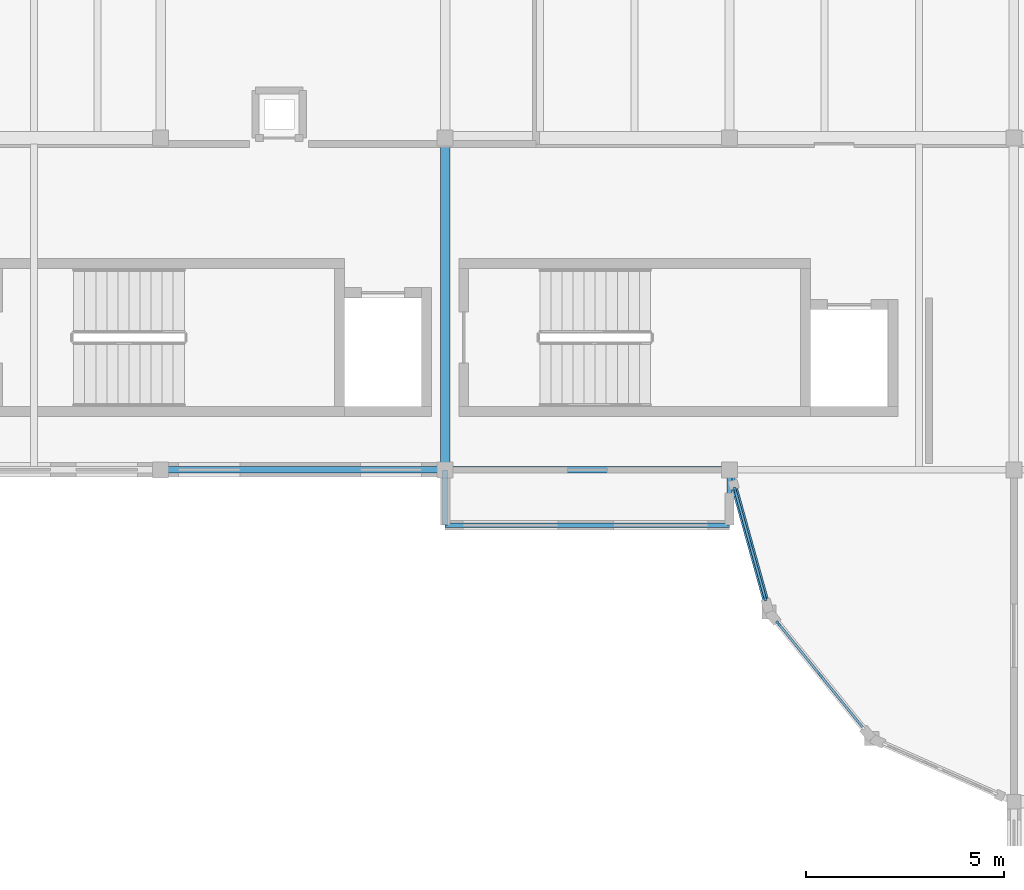
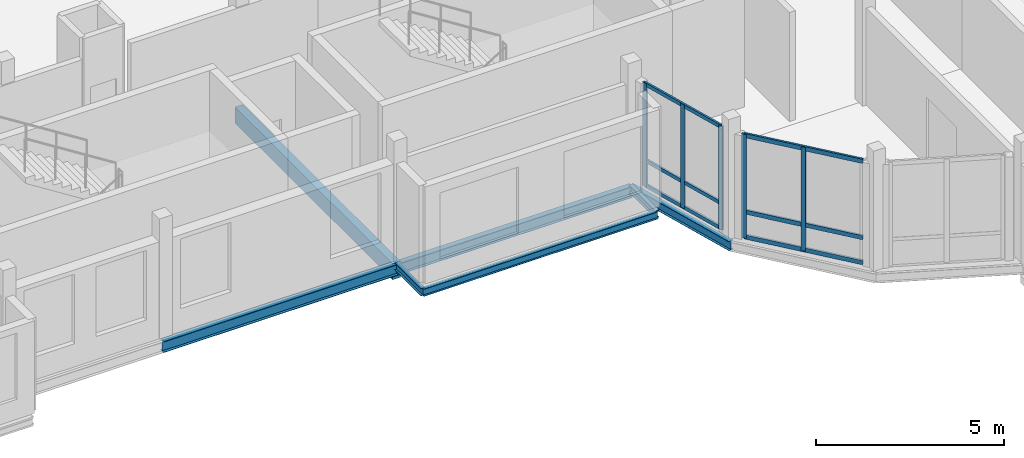
# One storey, part 16 of 57: 11 members, 7 beams, 2 elements without a shape of their own.
"""IFC4 building model written with IfcOpenShell, lengths in metres."""

from ifc_helpers import new_model, si_unit, direction, frame, origin, origin_2d, place, context, subcontext, project, spatial, rectangle, i_section, extrude, material, material_profile, profile_set, type_object, element, aggregate, save


model = new_model("IFC4")

# Units and contexts
model_context = context("Model", 3, precision=1e-05, world=origin(), true_north=direction((0.0, 1.0)))
body_context = subcontext(model_context, "Body", "Model", "MODEL_VIEW")
ifc_project = project(units=[si_unit("LENGTHUNIT", "METRE"), si_unit("AREAUNIT", "SQUARE_METRE"), si_unit("VOLUMEUNIT", "CUBIC_METRE"), si_unit("PLANEANGLEUNIT", "RADIAN"), si_unit("MASSUNIT", "GRAM", prefix="KILO")], contexts=[model_context])

# Site, building, storey
site_placement = place(None, origin())
site = spatial("IfcSite", under=ifc_project, at=site_placement, CompositionType="ELEMENT")
building_placement = place(site_placement, origin())
building = spatial("IfcBuilding", under=site, at=building_placement, Name="Kahlenmark Community Centre", CompositionType="ELEMENT")
storey_placement = place(building_placement, frame((0.0, 0.0, 13.800048828125)))
storey = spatial("IfcBuildingStorey", under=building, at=storey_placement, Name="L03", CompositionType="ELEMENT", Elevation=13.800048828125)

# Beams
ifc_material_1 = material(Name="Glulam GL32h", Category="wood")
ifc_material_profile_1 = material_profile(ifc_material_1, rectangle(XDim=0.239990234375, YDim=0.52001953125, at=origin_2d()), Name="GL32h 240x520")
ifc_profile_set_1 = profile_set([ifc_material_profile_1], Name="Glulam GL32h")
beam_type_1 = type_object("IfcBeamType", Name="BT-BEAM-GL32h240x520", PredefinedType="BEAM", material=ifc_profile_set_1)
beam_1_placement = place(storey_placement, frame((58.0, 97.60009765625, -0.47998046875), z_axis=(0.0, 1.0, 0.0), x_axis=(-1.0, 0.0, 0.0)))
element("IfcBeam", 1, at=beam_1_placement, inside=storey, type_object=beam_type_1, Name="L03 beam BG-GL32h240x520", PredefinedType="BEAM", context=body_context, shape_type="SweptSolid", body=[
    extrude(rectangle(XDim=0.239990234375, YDim=0.52001953125, at=origin_2d()), origin(), (0.0, 0.0, 1.0), 8.39990234375),
])
ifc_material_2 = material(Name="Steel S355", Category="steel")
ifc_material_profile_2 = material_profile(ifc_material_2, i_section(OverallWidth=0.1201171875, OverallDepth=0.239990234375, WebThickness=0.006103515625, FlangeThickness=0.009765625, at=origin_2d()), Name="IPE 240")
ifc_profile_set_2 = profile_set([ifc_material_profile_2], Name="Steel S355")
beam_type_2 = type_object("IfcBeamType", Name="BT-BEAM-IPE240", PredefinedType="BEAM", material=ifc_profile_set_2)
for number, where, z_axis, x_axis, name in (
    (2, (58.0, 96.199951171875, -0.320068359375), (0.0, 1.0, 0.0), (-1.0, 0.0, 0.0), "L03 beam BG-IPE240"),
    (3, (65.199951171875, 96.199951171875, -0.320068359375), (0.0, 1.0, 0.0), (-1.0, 0.0, 0.0), "L03 beam BG-IPE240"),
):
    element("IfcBeam", number, at=place(storey_placement, frame(where, z_axis=z_axis, x_axis=x_axis)), inside=storey, type_object=beam_type_2, Name=name, PredefinedType="BEAM", context=body_context, shape_type="SweptSolid", body=[
        extrude(i_section(OverallWidth=0.1201171875, OverallDepth=0.239990234375, WebThickness=0.006103515625, FlangeThickness=0.009765625, at=origin_2d()), origin(), (0.0, 0.0, 1.0), 1.400146484375),
    ])
ifc_material_profile_3 = material_profile(ifc_material_2, i_section(OverallWidth=0.1201171875, OverallDepth=0.239990234375, WebThickness=0.006103515625, FlangeThickness=0.009765625, at=origin_2d()), Name="IPE 240")
ifc_profile_set_3 = profile_set([ifc_material_profile_3], Name="Steel S355")
beam_type_3 = type_object("IfcBeamType", Name="BT-SPANDREL-IPE240", PredefinedType="SPANDREL", material=ifc_profile_set_3)
beam_2_placement = place(storey_placement, frame((58.0, 96.199951171875, -0.320068359375), z_axis=(1.0, 0.0, 0.0), x_axis=(0.0, 1.0, 0.0)))
element("IfcBeam", 4, at=beam_2_placement, inside=storey, type_object=beam_type_3, Name="L03 spandrel SP-IPE240", PredefinedType="SPANDREL", context=body_context, shape_type="SweptSolid", body=[
    extrude(i_section(OverallWidth=0.1201171875, OverallDepth=0.239990234375, WebThickness=0.006103515625, FlangeThickness=0.009765625, at=origin_2d()), origin(), (0.0, 0.0, 1.0), 7.199951171875),
])
ifc_material_profile_4 = material_profile(ifc_material_2, i_section(OverallWidth=0.14990234375, OverallDepth=0.300048828125, WebThickness=0.007080078125, FlangeThickness=0.0107421875, at=origin_2d()), Name="IPE 300")
ifc_profile_set_4 = profile_set([ifc_material_profile_4], Name="Steel S355")
beam_type_4 = type_object("IfcBeamType", Name="BT-SPANDREL-IPE300", PredefinedType="SPANDREL", material=ifc_profile_set_4)
beam_3_placement = place(storey_placement, frame((65.199951171875, 97.60009765625, -0.35009765625), z_axis=(0.267637123724, -0.963519781844, 0.0), x_axis=(0.963519781844, 0.267637123724, 0.0)))
element("IfcBeam", 5, at=beam_3_placement, inside=storey, type_object=beam_type_4, Name="L03 spandrel SP-IPE300", PredefinedType="SPANDREL", context=body_context, shape_type="SweptSolid", body=[
    extrude(i_section(OverallWidth=0.14990234375, OverallDepth=0.300048828125, WebThickness=0.007080078125, FlangeThickness=0.0107421875, at=origin_2d()), origin(), (0.0, 0.0, 1.0), 3.736328125),
])
ifc_material_profile_5 = material_profile(ifc_material_2, i_section(OverallWidth=0.169921875, OverallDepth=0.360107421875, WebThickness=0.008056640625, FlangeThickness=0.0126953125, at=origin_2d()), Name="IPE 360")
ifc_profile_set_5 = profile_set([ifc_material_profile_5], Name="Steel S355")
beam_type_5 = type_object("IfcBeamType", Name="BT-SPANDREL-IPE360", PredefinedType="SPANDREL", material=ifc_profile_set_5)
for number, where, z_axis, x_axis, name in (
    (6, (50.800048828125, 97.60009765625, -0.400146484375), (1.0, 0.0, 0.0), (0.0, 1.0, 0.0), "L03 spandrel SP-IPE360"),
    (7, (58.0, 97.60009765625, -0.400146484375), (1.0, 0.0, 0.0), (0.0, 1.0, 0.0), "L03 spandrel SP-IPE360"),
):
    element("IfcBeam", number, at=place(storey_placement, frame(where, z_axis=z_axis, x_axis=x_axis)), inside=storey, type_object=beam_type_5, Name=name, PredefinedType="SPANDREL", context=body_context, shape_type="SweptSolid", body=[
        extrude(i_section(OverallWidth=0.169921875, OverallDepth=0.360107421875, WebThickness=0.008056640625, FlangeThickness=0.0126953125, at=origin_2d()), origin(), (0.0, 0.0, 1.0), 7.199951171875),
    ])

# Curtain wall, members
ifc_material_3 = material(Name="Anodised aluminium unitised curtain wall", Category="aluminium")
curtain_wall_type_1 = type_object("IfcCurtainWallType", Name="CWT-UNIT-290X337", PredefinedType="USERDEFINED", material=ifc_material_3)
curtain_wall_1_placement = place(storey_placement, origin())
curtain_wall_1 = element("IfcCurtainWall", 8, at=curtain_wall_1_placement, inside=storey, type_object=curtain_wall_type_1, Name="Unitised curtain wall CW-182", ObjectType="UNITISED CURTAIN WALL", PredefinedType="USERDEFINED")
ifc_material_4 = material(Name="Anodised aluminium 6063-T6", Category="aluminium")
ifc_material_profile_6 = material_profile(ifc_material_4, rectangle(XDim=0.06005859375, YDim=0.139892578125, at=origin_2d()), Name="ALU MULLION 60x140")
ifc_profile_set_6 = profile_set([ifc_material_profile_6], Name="Anodised aluminium 6063-T6")
member_type_1 = type_object("IfcMemberType", Name="MT-MUL-140", PredefinedType="MULLION", material=ifc_profile_set_6)
member_1_placement = place(storey_placement, frame((65.341796875, 97.08935546875, 0.0), z_axis=(0.0, 0.0, 1.0), x_axis=(0.963515158188, 0.26765376878, 0.0)))
member_1 = element("IfcMember", 9, at=member_1_placement, type_object=member_type_1, Name="CW-182 mullion 1", PredefinedType="MULLION", context=body_context, shape_type="SweptSolid", body=[
    extrude(rectangle(XDim=0.06005859375, YDim=0.139892578125, at=origin_2d()), origin(), (0.0, 0.0, 1.0), 3.369873046875),
])
member_2_placement = place(storey_placement, frame((65.721435546875, 95.722900390625, 0.0), z_axis=(0.0, 0.0, 1.0), x_axis=(0.963515158188, 0.26765376878, 0.0)))
member_2 = element("IfcMember", 10, at=member_2_placement, type_object=member_type_1, Name="CW-182 mullion 2", PredefinedType="MULLION", context=body_context, shape_type="SweptSolid", body=[
    extrude(rectangle(XDim=0.06005859375, YDim=0.139892578125, at=origin_2d()), origin(), (0.0, 0.0, 1.0), 3.369873046875),
])
member_3_placement = place(storey_placement, frame((66.10107421875, 94.3564453125, 0.0), z_axis=(0.0, 0.0, 1.0), x_axis=(0.963515158188, 0.26765376878, 0.0)))
member_3 = element("IfcMember", 11, at=member_3_placement, type_object=member_type_1, Name="CW-182 mullion 3", PredefinedType="MULLION", context=body_context, shape_type="SweptSolid", body=[
    extrude(rectangle(XDim=0.06005859375, YDim=0.139892578125, at=origin_2d()), origin(), (0.0, 0.0, 1.0), 3.369873046875),
])

curtain_wall_type_2 = type_object("IfcCurtainWallType", Name="CWT-UNIT-344X337", PredefinedType="USERDEFINED", material=ifc_material_3)
curtain_wall_2_placement = place(storey_placement, origin())
curtain_wall_2 = element("IfcCurtainWall", 12, at=curtain_wall_2_placement, inside=storey, type_object=curtain_wall_type_2, Name="Unitised curtain wall CW-183", ObjectType="UNITISED CURTAIN WALL", PredefinedType="USERDEFINED")
member_4_placement = place(storey_placement, frame((66.433349609375, 93.712890625, 0.0), z_axis=(0.0, 0.0, 1.0), x_axis=(0.776109145231, 0.63059860029, 0.0)))
member_4 = element("IfcMember", 13, at=member_4_placement, type_object=member_type_1, Name="CW-183 mullion 1", PredefinedType="MULLION", context=body_context, shape_type="SweptSolid", body=[
    extrude(rectangle(XDim=0.06005859375, YDim=0.139892578125, at=origin_2d()), origin(), (0.0, 0.0, 1.0), 3.369873046875),
])
member_5_placement = place(storey_placement, frame((67.5, 92.39990234375, 0.0), z_axis=(0.0, 0.0, 1.0), x_axis=(0.776109145231, 0.63059860029, 0.0)))
member_5 = element("IfcMember", 14, at=member_5_placement, type_object=member_type_1, Name="CW-183 mullion 2", PredefinedType="MULLION", context=body_context, shape_type="SweptSolid", body=[
    extrude(rectangle(XDim=0.06005859375, YDim=0.139892578125, at=origin_2d()), origin(), (0.0, 0.0, 1.0), 3.369873046875),
])

# Member
ifc_material_profile_7 = material_profile(ifc_material_4, rectangle(XDim=0.06005859375, YDim=0.1201171875, at=origin_2d()), Name="ALU TRANSOM 60x120")
ifc_profile_set_7 = profile_set([ifc_material_profile_7], Name="Anodised aluminium 6063-T6")
member_type_2 = type_object("IfcMemberType", Name="MT-TRN-120", PredefinedType="USERDEFINED", material=ifc_profile_set_7)
member_6_placement = place(storey_placement, frame((65.341796875, 97.08935546875, 0.0400390625), z_axis=(0.267688256657, -0.963505577175, 0.0), x_axis=(0.963505577175, 0.267688256657, 0.0)))
member_6 = element("IfcMember", 15, at=member_6_placement, type_object=member_type_2, Name="CW-182 transom 1", ObjectType="TRANSOM", PredefinedType="USERDEFINED", context=body_context, shape_type="SweptSolid", body=[
    extrude(rectangle(XDim=0.06005859375, YDim=0.1201171875, at=origin_2d()), origin(), (0.0, 0.0, 1.0), 2.83642578125),
])

member_7_placement = place(storey_placement, frame((65.341796875, 97.08935546875, 0.849853515625), z_axis=(0.267688256657, -0.963505577175, 0.0), x_axis=(0.963505577175, 0.267688256657, 0.0)))
member_7 = element("IfcMember", 16, at=member_7_placement, type_object=member_type_2, Name="CW-182 transom 2", ObjectType="TRANSOM", PredefinedType="USERDEFINED", context=body_context, shape_type="SweptSolid", body=[
    extrude(rectangle(XDim=0.06005859375, YDim=0.1201171875, at=origin_2d()), origin(), (0.0, 0.0, 1.0), 2.83642578125),
])

member_8_placement = place(storey_placement, frame((65.341796875, 97.08935546875, 3.329833984375), z_axis=(0.267688256657, -0.963505577175, 0.0), x_axis=(0.963505577175, 0.267688256657, 0.0)))
member_8 = element("IfcMember", 17, at=member_8_placement, type_object=member_type_2, Name="CW-182 transom 3", ObjectType="TRANSOM", PredefinedType="USERDEFINED", context=body_context, shape_type="SweptSolid", body=[
    extrude(rectangle(XDim=0.06005859375, YDim=0.1201171875, at=origin_2d()), origin(), (0.0, 0.0, 1.0), 2.83642578125),
])

aggregate(curtain_wall_1, [member_1, member_2, member_3, member_6, member_7, member_8])

ifc_material_profile_8 = material_profile(ifc_material_4, rectangle(XDim=0.06005859375, YDim=0.139892578125, at=origin_2d()), Name="ALU TRANSOM 60x140")
ifc_profile_set_8 = profile_set([ifc_material_profile_8], Name="Anodised aluminium 6063-T6")
member_type_3 = type_object("IfcMemberType", Name="MT-TRN-140", PredefinedType="USERDEFINED", material=ifc_profile_set_8)
member_9_placement = place(storey_placement, frame((66.433349609375, 93.712890625, 0.0400390625), z_axis=(0.630573607431, -0.776129451581, 0.0), x_axis=(0.776129451581, 0.630573607431, 0.0)))
member_9 = element("IfcMember", 18, at=member_9_placement, type_object=member_type_3, Name="CW-183 transom 1", ObjectType="TRANSOM", PredefinedType="USERDEFINED", context=body_context, shape_type="SweptSolid", body=[
    extrude(rectangle(XDim=0.06005859375, YDim=0.139892578125, at=origin_2d()), origin(), (0.0, 0.0, 1.0), 3.383056640625),
])

member_10_placement = place(storey_placement, frame((66.433349609375, 93.712890625, 0.849853515625), z_axis=(0.630573607431, -0.776129451581, 0.0), x_axis=(0.776129451581, 0.630573607431, 0.0)))
member_10 = element("IfcMember", 19, at=member_10_placement, type_object=member_type_3, Name="CW-183 transom 2", ObjectType="TRANSOM", PredefinedType="USERDEFINED", context=body_context, shape_type="SweptSolid", body=[
    extrude(rectangle(XDim=0.06005859375, YDim=0.139892578125, at=origin_2d()), origin(), (0.0, 0.0, 1.0), 3.383056640625),
])

member_11_placement = place(storey_placement, frame((66.433349609375, 93.712890625, 3.329833984375), z_axis=(0.630573607431, -0.776129451581, 0.0), x_axis=(0.776129451581, 0.630573607431, 0.0)))
member_11 = element("IfcMember", 20, at=member_11_placement, type_object=member_type_3, Name="CW-183 transom 3", ObjectType="TRANSOM", PredefinedType="USERDEFINED", context=body_context, shape_type="SweptSolid", body=[
    extrude(rectangle(XDim=0.06005859375, YDim=0.139892578125, at=origin_2d()), origin(), (0.0, 0.0, 1.0), 3.383056640625),
])

aggregate(curtain_wall_2, [member_4, member_5, member_9, member_10, member_11])

save(model, "model.ifc")
